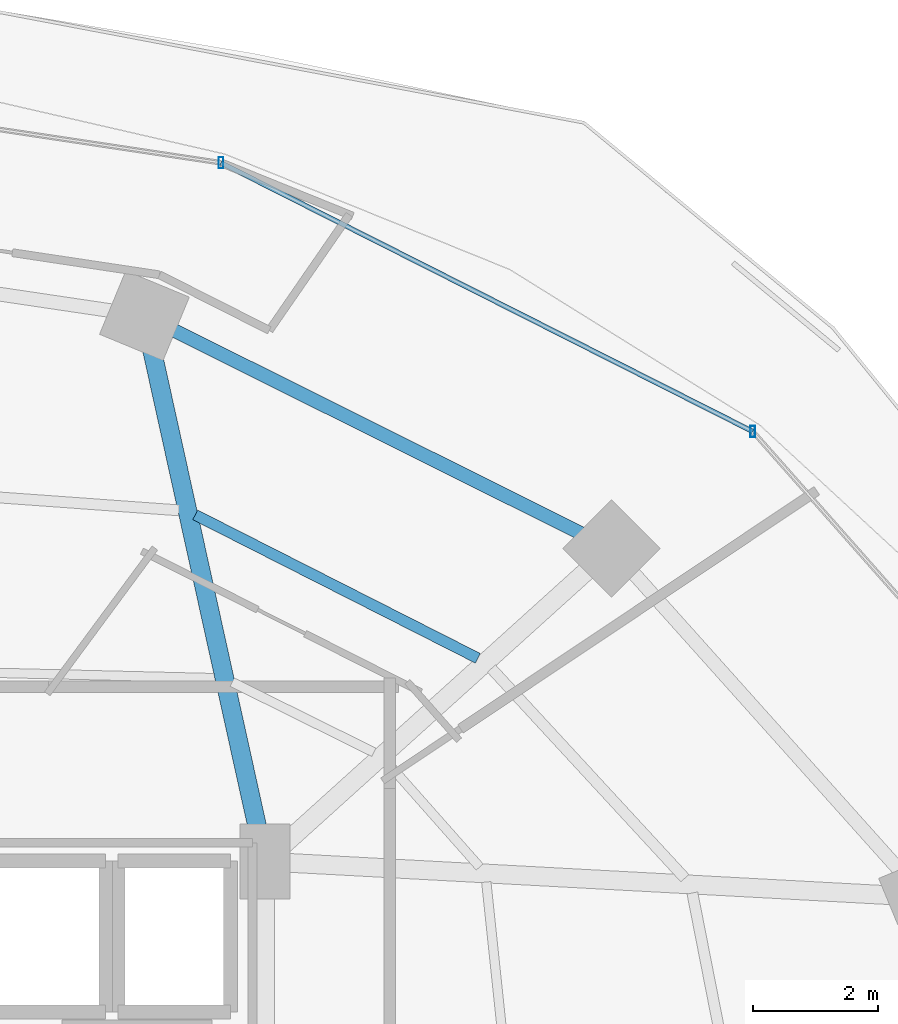
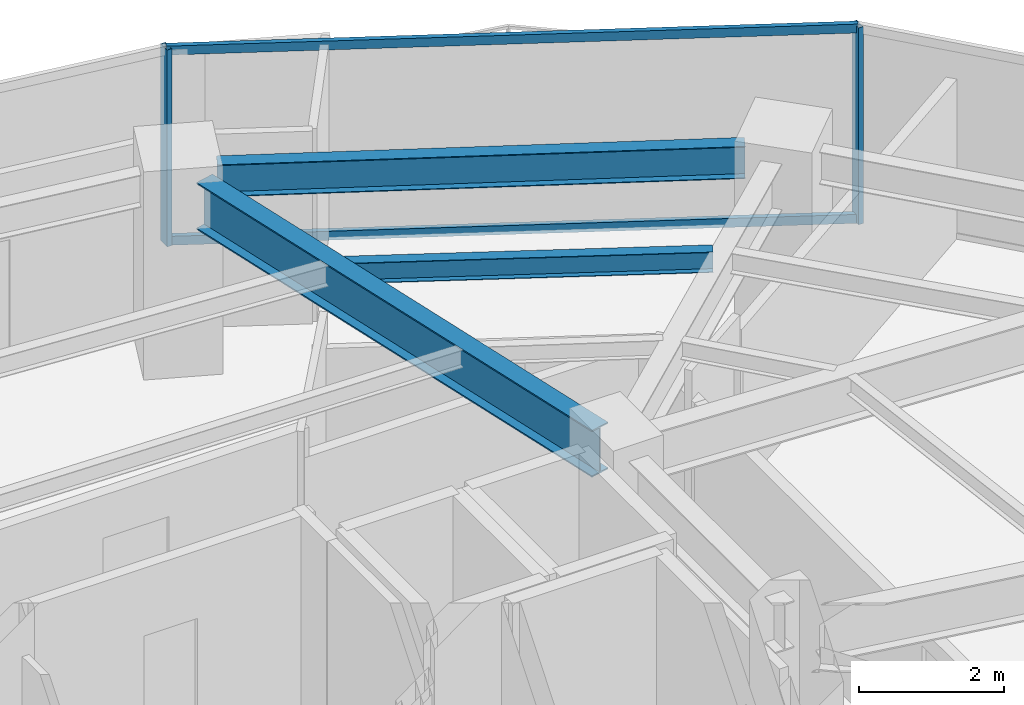
# One storey, part 20 of 29: 4 members, 3 beams, 1 element without a shape of its own.
"""IFC4 building model written with IfcOpenShell, lengths in metres."""

from ifc_helpers import new_model, si_unit, direction, frame, origin, origin_2d, place, context, subcontext, project, spatial, hollow_rectangle, i_section, extrude, material, material_profile, profile_set, type_object, element, aggregate, save


model = new_model("IFC4")

# Units and contexts
model_context = context("Model", 3, precision=1e-05, world=origin(), true_north=direction((0.0, 1.0)))
body_context = subcontext(model_context, "Body", "Model", "MODEL_VIEW")
ifc_project = project(units=[si_unit("LENGTHUNIT", "METRE"), si_unit("AREAUNIT", "SQUARE_METRE"), si_unit("VOLUMEUNIT", "CUBIC_METRE"), si_unit("PLANEANGLEUNIT", "RADIAN"), si_unit("MASSUNIT", "GRAM", prefix="KILO")], contexts=[model_context])

# Site, building, storey
site_placement = place(None, origin())
site = spatial("IfcSite", under=ifc_project, at=site_placement, CompositionType="ELEMENT")
building_placement = place(site_placement, origin())
building = spatial("IfcBuilding", under=site, at=building_placement, Name="Vorneva Point Tower", CompositionType="ELEMENT")
storey_placement = place(building_placement, frame((0.0, 0.0, 82.300048828125)))
storey = spatial("IfcBuildingStorey", under=building, at=storey_placement, Name="L21", CompositionType="ELEMENT", Elevation=82.300048828125)

# Beams
ifc_material_1 = material(Name="Steel S355", Category="steel")
ifc_material_profile_1 = material_profile(ifc_material_1, i_section(OverallWidth=0.300048828125, OverallDepth=0.7880859375, WebThickness=0.014404296875, FlangeThickness=0.02197265625, at=origin_2d()), Name="80Sh1")
ifc_profile_set_1 = profile_set([ifc_material_profile_1], Name="Steel S355")
beam_type_1 = type_object("IfcBeamType", Name="BM-GRD-80Sh1", PredefinedType="USERDEFINED", material=ifc_profile_set_1)
beam_1_placement = place(storey_placement, frame((46.936767578125, 41.365234375, 2.845947265625), z_axis=(0.215530944428, -0.976497010745, 0.0), x_axis=(0.976497010745, 0.215530944428, 0.0)))
element("IfcBeam", 1, at=beam_1_placement, inside=storey, type_object=beam_type_1, Name="L21 Radial Primary Girder 04", ObjectType="GIRDER", PredefinedType="USERDEFINED", context=body_context, shape_type="SweptSolid", body=[
    extrude(i_section(OverallWidth=0.300048828125, OverallDepth=0.7880859375, WebThickness=0.014404296875, FlangeThickness=0.02197265625, at=origin_2d()), origin(), (0.0, 0.0, 1.0), 8.072998046875),
])
ifc_material_profile_2 = material_profile(ifc_material_1, i_section(OverallWidth=0.174072265625, OverallDepth=0.345947265625, WebThickness=0.006103515625, FlangeThickness=0.009033203125, at=origin_2d()), Name="35B1")
ifc_profile_set_2 = profile_set([ifc_material_profile_2], Name="Steel S355")
beam_type_2 = type_object("IfcBeamType", Name="BM-SEC-35B1", PredefinedType="BEAM", material=ifc_profile_set_2)
beam_2_placement = place(storey_placement, frame((52.160400390625, 36.404296875, 3.06689453125), z_axis=(-0.891736950486, 0.452554097471, 0.0), x_axis=(-0.452554097471, -0.891736950486, 0.0)))
element("IfcBeam", 2, at=beam_2_placement, inside=storey, type_object=beam_type_2, Name="L21 Secondary Floor Beam 1.03", PredefinedType="BEAM", context=body_context, shape_type="SweptSolid", body=[
    extrude(i_section(OverallWidth=0.174072265625, OverallDepth=0.345947265625, WebThickness=0.006103515625, FlangeThickness=0.009033203125, at=origin_2d()), origin(), (0.0, 0.0, 1.0), 5.075927734375),
])
ifc_material_profile_3 = material_profile(ifc_material_1, i_section(OverallWidth=0.219970703125, OverallDepth=0.54296875, WebThickness=0.009521484375, FlangeThickness=0.013427734375, at=origin_2d()), Name="55B1")
ifc_profile_set_3 = profile_set([ifc_material_profile_3], Name="Steel S355")
beam_type_3 = type_object("IfcBeamType", Name="BM-SPN-55B1", PredefinedType="SPANDREL", material=ifc_profile_set_3)
beam_3_placement = place(storey_placement, frame((53.820068359375, 38.40087890625, 2.968505859375), z_axis=(-0.894915882304, 0.446234874926, 0.0), x_axis=(-0.446234874926, -0.894915882304, 0.0)))
element("IfcBeam", 3, at=beam_3_placement, inside=storey, type_object=beam_type_3, Name="L21 Perimeter Spandrel Ring Beam 03", PredefinedType="SPANDREL", context=body_context, shape_type="SweptSolid", body=[
    extrude(i_section(OverallWidth=0.219970703125, OverallDepth=0.54296875, WebThickness=0.009521484375, FlangeThickness=0.013427734375, at=origin_2d()), origin(), (0.0, 0.0, 1.0), 7.285888671875),
])

# Curtain wall, members
ifc_material_2 = material(Name="Pale anodised aluminium", Category="aluminium")
curtain_wall_type = type_object("IfcCurtainWallType", Name="CW-HTL-SYS", PredefinedType="NOTDEFINED", material=ifc_material_2)
curtain_wall_placement = place(storey_placement, origin())
curtain_wall = element("IfcCurtainWall", 4, at=curtain_wall_placement, inside=storey, type_object=curtain_wall_type, Name="L21 Unitised Curtain Wall CW-L21-R01", PredefinedType="NOTDEFINED")
ifc_material_profile_4 = material_profile(ifc_material_2, hollow_rectangle(XDim=0.074951171875, YDim=0.179931640625, WallThickness=0.00390625, at=origin_2d()), Name="AL-MUL 180x75x4")
ifc_profile_set_4 = profile_set([ifc_material_profile_4], Name="Pale anodised aluminium")
member_type_1 = type_object("IfcMemberType", Name="CW-MUL-180", PredefinedType="MULLION", material=ifc_profile_set_4)
member_1_placement = place(storey_placement, frame((56.5615234375, 40.0361328125, -0.0400390625), z_axis=(0.0, 0.0, 1.0), x_axis=(1.0, 0.0, 0.0)))
member_1 = element("IfcMember", 5, at=member_1_placement, type_object=member_type_1, Name="CW-L21-R01 Mullion 02", PredefinedType="MULLION", context=body_context, shape_type="SweptSolid", body=[
    extrude(hollow_rectangle(XDim=0.074951171875, YDim=0.179931640625, WallThickness=0.00390625, at=origin_2d()), origin(), (0.0, 0.0, 1.0), 3.31005859375),
])
member_2_placement = place(storey_placement, frame((48.04541015625, 44.339111328125, -0.0400390625), z_axis=(0.0, 0.0, 1.0), x_axis=(1.0, 0.0, 0.0)))
member_2 = element("IfcMember", 6, at=member_2_placement, type_object=member_type_1, Name="CW-L21-R01 Mullion 03", PredefinedType="MULLION", context=body_context, shape_type="SweptSolid", body=[
    extrude(hollow_rectangle(XDim=0.074951171875, YDim=0.179931640625, WallThickness=0.00390625, at=origin_2d()), origin(), (0.0, 0.0, 1.0), 3.31005859375),
])
ifc_material_profile_5 = material_profile(ifc_material_2, hollow_rectangle(XDim=0.074951171875, YDim=0.14990234375, WallThickness=0.00390625, at=origin_2d()), Name="AL-TRN 150x75x4")
ifc_profile_set_5 = profile_set([ifc_material_profile_5], Name="Pale anodised aluminium")
member_type_2 = type_object("IfcMemberType", Name="CW-TRN-150", PredefinedType="USERDEFINED", material=ifc_profile_set_5)
member_3_placement = place(storey_placement, frame((56.5615234375, 40.0361328125, 0.02001953125), z_axis=(-0.892536035732, 0.450976080207, 0.0), x_axis=(-0.450976080207, -0.892536035732, 0.0)))
member_3 = element("IfcMember", 7, at=member_3_placement, type_object=member_type_2, Name="CW-L21-R01 Transom 02.1", ObjectType="TRANSOM", PredefinedType="USERDEFINED", context=body_context, shape_type="SweptSolid", body=[
    extrude(hollow_rectangle(XDim=0.074951171875, YDim=0.14990234375, WallThickness=0.00390625, at=origin_2d()), origin(), (0.0, 0.0, 1.0), 9.54150390625),
])
member_4_placement = place(storey_placement, frame((56.5615234375, 40.0361328125, 3.219970703125), z_axis=(-0.892536035732, 0.450976080207, 0.0), x_axis=(-0.450976080207, -0.892536035732, 0.0)))
member_4 = element("IfcMember", 8, at=member_4_placement, type_object=member_type_2, Name="CW-L21-R01 Transom 02.2", ObjectType="TRANSOM", PredefinedType="USERDEFINED", context=body_context, shape_type="SweptSolid", body=[
    extrude(hollow_rectangle(XDim=0.074951171875, YDim=0.14990234375, WallThickness=0.00390625, at=origin_2d()), origin(), (0.0, 0.0, 1.0), 9.54150390625),
])
aggregate(curtain_wall, [member_1, member_2, member_3, member_4])

save(model, "model.ifc")
